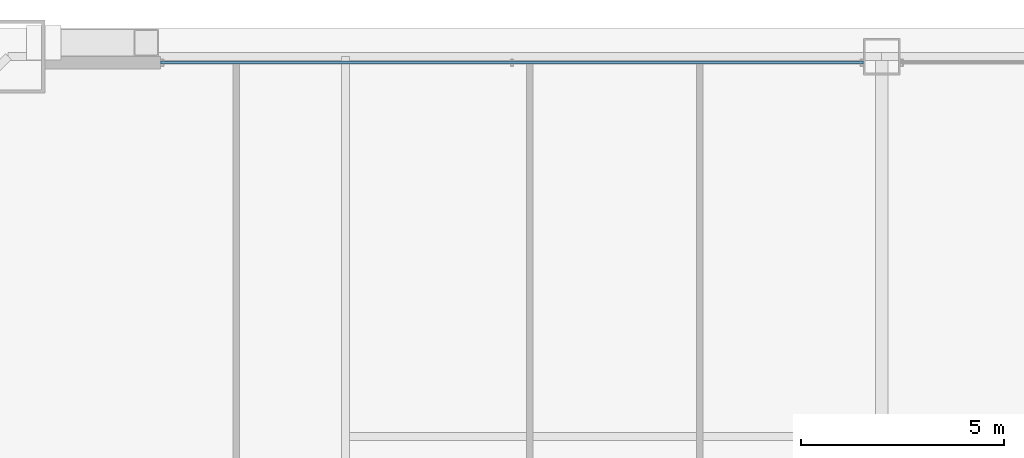
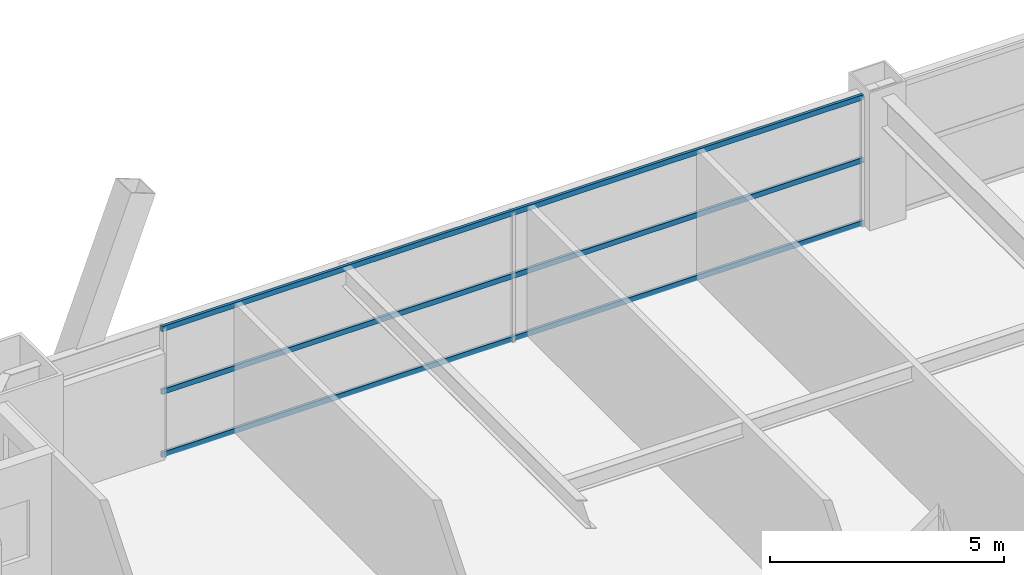
# One storey, part 29 of 43: 3 members, 1 element without a shape of its own.
"""IFC4 building model written with IfcOpenShell, lengths in metres."""

from ifc_helpers import new_model, si_unit, direction, frame, origin, origin_2d, place, context, subcontext, project, spatial, hollow_rectangle, extrude, source, transform, mapped, material, layer, layer_set, material_profile, profile_set, type_object, element, aggregate, save


model = new_model("IFC4")

# Units and contexts
model_context = context("Model", 3, precision=1e-05, world=origin(), true_north=direction((0.0, 1.0)))
body_context = subcontext(model_context, "Body", "Model", "MODEL_VIEW")
ifc_project = project(units=[si_unit("LENGTHUNIT", "METRE"), si_unit("AREAUNIT", "SQUARE_METRE"), si_unit("VOLUMEUNIT", "CUBIC_METRE"), si_unit("PLANEANGLEUNIT", "RADIAN"), si_unit("MASSUNIT", "GRAM", prefix="KILO"), si_unit("THERMODYNAMICTEMPERATUREUNIT", "KELVIN"), si_unit("POWERUNIT", "WATT")], contexts=[model_context])

# Site, building, storey
site_placement = place(None, origin())
site = spatial("IfcSite", under=ifc_project, at=site_placement, CompositionType="ELEMENT")
building_placement = place(site_placement, origin())
building = spatial("IfcBuilding", under=site, at=building_placement, Name="Yuzanri Waterfront Tower", CompositionType="ELEMENT")
storey_placement = place(building_placement, frame((0.0, 0.0, 53.199951171875)))
storey = spatial("IfcBuildingStorey", under=building, at=storey_placement, Name="L13", CompositionType="ELEMENT", Elevation=53.199951171875)

# Curtain wall, members
ifc_material_1 = material(Name="Anodized Architectural Bronze", Category="metal")
ifc_layer = layer(ifc_material_1, 0.159912109375)
ifc_layer_set = layer_set([ifc_layer], Name="Anodized Architectural Bronze")
curtain_wall_type = type_object("IfcCurtainWallType", Name="Anodized Bronze Hotel Lower-Tier Recessed Unitized Curtain Wall 8100", PredefinedType="NOTDEFINED", material=ifc_layer_set)
curtain_wall_placement = place(storey_placement, origin())
curtain_wall = element("IfcCurtainWall", 1, at=curtain_wall_placement, inside=storey, type_object=curtain_wall_type, Name="L13 Curtain Wall CW-L13-NL", PredefinedType="NOTDEFINED")
ifc_material_2 = material(Name="Anodized Architectural Bronze", Category="metal")
ifc_material_profile = material_profile(ifc_material_2, hollow_rectangle(XDim=0.070068359375, YDim=0.135009765625, WallThickness=0.00341796875, at=origin_2d()), Name="CWT 70x135")
ifc_profile_set = profile_set([ifc_material_profile], Name="Anodized Architectural Bronze")
member_type = type_object("IfcMemberType", Name="Anodized Bronze Standard Curtain-Wall Transom 70x135", PredefinedType="USERDEFINED", material=ifc_profile_set)
shared_shape = source(origin(), body_context, "Body", "SweptSolid", [
    extrude(hollow_rectangle(XDim=0.070068359375, YDim=0.135009765625, WallThickness=0.00341796875, at=origin_2d()), origin(), (0.0, 0.0, 1.0), 17.300048828125),
])
member_1_placement = place(storey_placement, frame((19.25, 50.75, 0.050048828125), z_axis=(1.0, 0.0, 0.0), x_axis=(0.0, 1.0, 0.0)))
member_1 = element("IfcMember", 2, at=member_1_placement, type_object=member_type, Name="CW-L13-NL Transom 1", ObjectType="TRANSOM", PredefinedType="USERDEFINED", context=body_context, shape_type="MappedRepresentation", body=[
    mapped(shared_shape, transform((0.0, 0.0, 0.0), scale=1.0)),
])
member_2_placement = place(storey_placement, frame((19.25, 50.75, 1.68994140625), z_axis=(1.0, 0.0, 0.0), x_axis=(0.0, 1.0, 0.0)))
member_2 = element("IfcMember", 3, at=member_2_placement, type_object=member_type, Name="CW-L13-NL Transom 2", ObjectType="TRANSOM", PredefinedType="USERDEFINED", context=body_context, shape_type="MappedRepresentation", body=[
    mapped(shared_shape, transform((0.0, 0.0, 0.0), scale=1.0)),
])
member_3_placement = place(storey_placement, frame((19.25, 50.75, 3.330078125), z_axis=(1.0, 0.0, 0.0), x_axis=(0.0, 1.0, 0.0)))
member_3 = element("IfcMember", 4, at=member_3_placement, type_object=member_type, Name="CW-L13-NL Transom 3", ObjectType="TRANSOM", PredefinedType="USERDEFINED", context=body_context, shape_type="MappedRepresentation", body=[
    mapped(shared_shape, transform((0.0, 0.0, 0.0), scale=1.0)),
])
aggregate(curtain_wall, [member_1, member_2, member_3])

save(model, "model.ifc")
